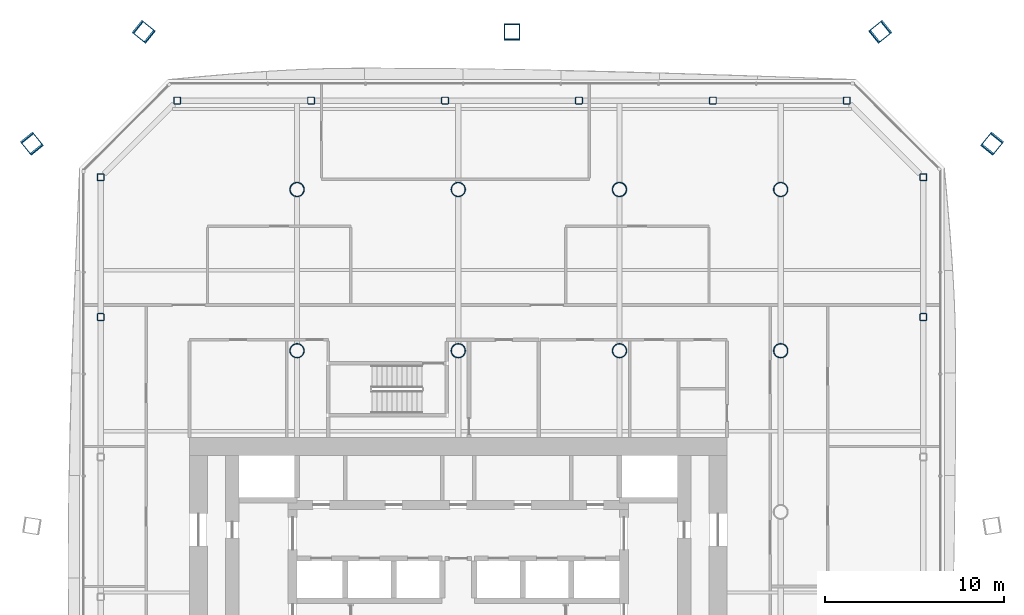
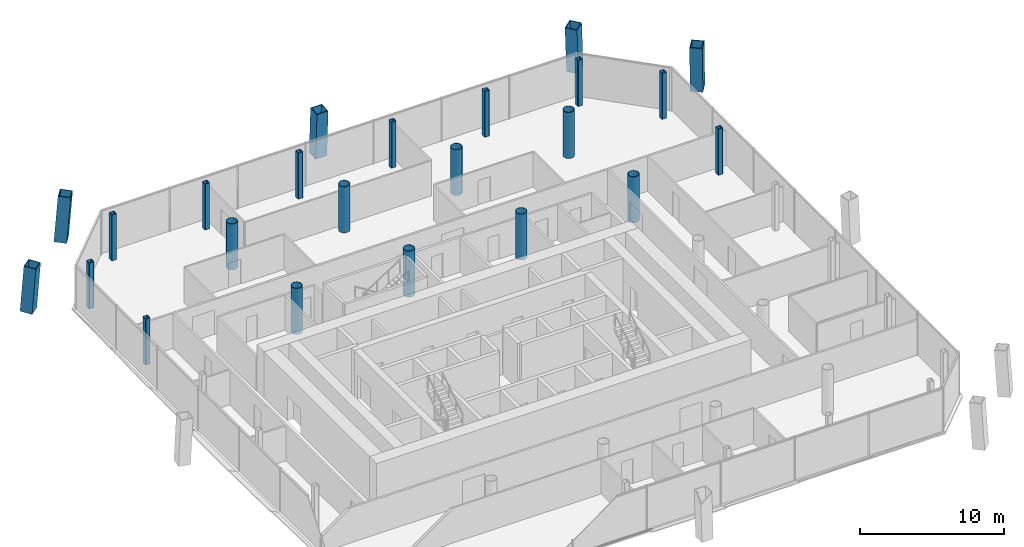
# One storey, part 2 of 19: 23 columns.
"""IFC4 building model written with IfcOpenShell, lengths in metres."""

from ifc_helpers import new_model, si_unit, direction, frame, origin, origin_2d, place, context, subcontext, project, spatial, hollow_rectangle, hollow_circle, extrude, material, material_profile, profile_set, type_object, element, save


model = new_model("IFC4")

# Units and contexts
model_context = context("Model", 3, precision=1e-05, world=origin(), true_north=direction((0.0, 1.0)))
body_context = subcontext(model_context, "Body", "Model", "MODEL_VIEW")
ifc_project = project(units=[si_unit("LENGTHUNIT", "METRE"), si_unit("AREAUNIT", "SQUARE_METRE"), si_unit("VOLUMEUNIT", "CUBIC_METRE"), si_unit("PLANEANGLEUNIT", "RADIAN"), si_unit("MASSUNIT", "GRAM", prefix="KILO")], contexts=[model_context])

# Site, building, storey
site_placement = place(None, origin())
site = spatial("IfcSite", under=ifc_project, at=site_placement, CompositionType="ELEMENT")
building_placement = place(site_placement, origin())
building = spatial("IfcBuilding", under=site, at=building_placement, Name="Tskaro Facet Tower", CompositionType="ELEMENT")
storey_placement = place(building_placement, frame((0.0, 0.0, 101.10009765625)))
storey = spatial("IfcBuildingStorey", under=building, at=storey_placement, Name="L24", CompositionType="ELEMENT", Elevation=101.10009765625)

# Columns
ifc_material_1 = material(Name="Steel S460M", Category="steel")
ifc_material_profile_1 = material_profile(ifc_material_1, hollow_rectangle(XDim=0.89990234375, YDim=0.89990234375, WallThickness=0.054931640625, at=origin_2d()), Name="BOX 900x900x55")
ifc_profile_set_1 = profile_set([ifc_material_profile_1], Name="Steel S460M")
column_type_1 = type_object("IfcColumnType", Name="BOX 900x900x55 mega column", PredefinedType="COLUMN", material=ifc_profile_set_1)
for number, where, z_axis, x_axis, name in (
    (1, (29.83203125, 20.593994140625, 0.0), (-0.046572030062, -0.057809249111, 0.997240761668), (0.778731084135, -0.627357871236, 0.0), "BOX 900x900x55 MC06/2"),
    (2, (23.593994140625, 26.83203125, 0.0), (-0.057809249111, -0.046572030062, 0.997240761668), (0.627357871236, -0.778731084135, 0.0), "BOX 900x900x55 MC07/2"),
):
    element("IfcColumn", number, at=place(storey_placement, frame(where, z_axis=z_axis, x_axis=x_axis)), inside=storey, type_object=column_type_1, Name=name, PredefinedType="COLUMN", context=body_context, shape_type="SweptSolid", body=[
        extrude(hollow_rectangle(XDim=0.89990234375, YDim=0.89990234375, WallThickness=0.054931640625, at=origin_2d()), origin(), (0.0, 0.0, 1.0), 3.91064453125),
    ])
column_placement = place(storey_placement, frame((3.0, 26.83203125, 0.0), z_axis=(0.0, -0.046650045406, 0.998911293991), x_axis=(1.0, 0.0, 0.0)))
element("IfcColumn", 3, at=column_placement, inside=storey, type_object=column_type_1, Name="BOX 900x900x55 MC08/2", PredefinedType="COLUMN", context=body_context, shape_type="SweptSolid", body=[
    extrude(hollow_rectangle(XDim=0.89990234375, YDim=0.89990234375, WallThickness=0.054931640625, at=origin_2d()), origin(), (0.0, 0.0, 1.0), 3.904052734375),
])
for number, where, z_axis, x_axis, name in (
    (4, (-17.593994140625, 26.83203125, 0.0), (0.057809249111, -0.046572030062, 0.997240761668), (0.627357871236, 0.778731084135, 0.0), "BOX 900x900x55 MC09/2"),
    (5, (-23.83203125, 20.593994140625, 0.0), (0.046572030062, -0.057809249111, 0.997240761668), (0.778731084135, 0.627357871236, 0.0), "BOX 900x900x55 MC10/2"),
):
    element("IfcColumn", number, at=place(storey_placement, frame(where, z_axis=z_axis, x_axis=x_axis)), inside=storey, type_object=column_type_1, Name=name, PredefinedType="COLUMN", context=body_context, shape_type="SweptSolid", body=[
        extrude(hollow_rectangle(XDim=0.89990234375, YDim=0.89990234375, WallThickness=0.054931640625, at=origin_2d()), origin(), (0.0, 0.0, 1.0), 3.91064453125),
    ])
ifc_material_2 = material(Name="Steel S355J2H", Category="steel")
ifc_material_profile_2 = material_profile(ifc_material_2, hollow_circle(Radius=0.406494140625, WallThickness=0.035888671875, at=origin_2d()), Name="CHS 812.8x36")
ifc_profile_set_2 = profile_set([ifc_material_profile_2], Name="Steel S355J2H")
column_type_2 = type_object("IfcColumnType", Name="CHS 812.8x36 interior column", PredefinedType="COLUMN", material=ifc_profile_set_2)
for number, where, z_axis, x_axis, name in (
    (6, (-9.0, 9.0, 0.0), (0.0, 0.0, 1.0), (1.0, 0.0, 0.0), "CHS 812.8x36 C3E/2"),
    (7, (-9.0, 18.0, 0.0), (0.0, 0.0, 1.0), (1.0, 0.0, 0.0), "CHS 812.8x36 C3F/2"),
    (8, (0.0, 9.0, 0.0), (0.0, 0.0, 1.0), (1.0, 0.0, 0.0), "CHS 812.8x36 C4E/2"),
    (9, (0.0, 18.0, 0.0), (0.0, 0.0, 1.0), (1.0, 0.0, 0.0), "CHS 812.8x36 C4F/2"),
    (10, (9.0, 9.0, 0.0), (0.0, 0.0, 1.0), (1.0, 0.0, 0.0), "CHS 812.8x36 C5E/2"),
    (11, (9.0, 18.0, 0.0), (0.0, 0.0, 1.0), (1.0, 0.0, 0.0), "CHS 812.8x36 C5F/2"),
    (12, (18.0, 9.0, 0.0), (0.0, 0.0, 1.0), (1.0, 0.0, 0.0), "CHS 812.8x36 C6E/2"),
    (13, (18.0, 18.0, 0.0), (0.0, 0.0, 1.0), (1.0, 0.0, 0.0), "CHS 812.8x36 C6F/2"),
):
    element("IfcColumn", number, at=place(storey_placement, frame(where, z_axis=z_axis, x_axis=x_axis)), inside=storey, type_object=column_type_2, Name=name, PredefinedType="COLUMN", context=body_context, shape_type="SweptSolid", body=[
        extrude(hollow_circle(Radius=0.406494140625, WallThickness=0.035888671875, at=origin_2d()), origin(), (0.0, 0.0, 1.0), 3.89990234375),
    ])
ifc_material_profile_3 = material_profile(ifc_material_2, hollow_rectangle(XDim=0.39990234375, YDim=0.39990234375, WallThickness=0.02490234375, InnerFilletRadius=0.03759765625, OuterFilletRadius=0.0625, at=origin_2d()), Name="SHS 400x400x25")
ifc_profile_set_3 = profile_set([ifc_material_profile_3], Name="Steel S355J2H")
column_type_3 = type_object("IfcColumnType", Name="SHS 400x400x25 ring column", PredefinedType="COLUMN", material=ifc_profile_set_3)
for number, where, z_axis, x_axis, name in (
    (14, (25.965087890625, 10.87890625, 0.0), (0.0, 0.0, 1.0), (1.0, 0.0, 0.0), "SHS 400x400x25 RE-5/2"),
    (15, (25.965087890625, 18.68994140625, 0.0), (0.0, 0.0, 1.0), (1.0, 0.0, 0.0), "SHS 400x400x25 RNE-1/2"),
    (16, (21.68994140625, 22.965087890625, 0.0), (0.0, 0.0, 1.0), (1.0, 0.0, 0.0), "SHS 400x400x25 RN-1/2"),
    (17, (14.214111328125, 22.965087890625, 0.0), (0.0, 0.0, 1.0), (1.0, 0.0, 0.0), "SHS 400x400x25 RN-2/2"),
    (18, (6.738037109375, 22.965087890625, 0.0), (0.0, 0.0, 1.0), (1.0, 0.0, 0.0), "SHS 400x400x25 RN-3/2"),
    (19, (-0.738037109375, 22.965087890625, 0.0), (0.0, 0.0, 1.0), (1.0, 0.0, 0.0), "SHS 400x400x25 RN-4/2"),
    (20, (-8.214111328125, 22.965087890625, 0.0), (0.0, 0.0, 1.0), (1.0, 0.0, 0.0), "SHS 400x400x25 RN-5/2"),
    (21, (-15.68994140625, 22.965087890625, 0.0), (0.0, 0.0, 1.0), (1.0, 0.0, 0.0), "SHS 400x400x25 RNW-1/2"),
    (22, (-19.965087890625, 18.68994140625, 0.0), (0.0, 0.0, 1.0), (1.0, 0.0, 0.0), "SHS 400x400x25 RW-1/2"),
    (23, (-19.965087890625, 10.87890625, 0.0), (0.0, 0.0, 1.0), (1.0, 0.0, 0.0), "SHS 400x400x25 RW-2/2"),
):
    element("IfcColumn", number, at=place(storey_placement, frame(where, z_axis=z_axis, x_axis=x_axis)), inside=storey, type_object=column_type_3, Name=name, PredefinedType="COLUMN", context=body_context, shape_type="SweptSolid", body=[
        extrude(hollow_rectangle(XDim=0.39990234375, YDim=0.39990234375, WallThickness=0.02490234375, InnerFilletRadius=0.03759765625, OuterFilletRadius=0.0625, at=origin_2d()), origin(), (0.0, 0.0, 1.0), 3.89990234375),
    ])

save(model, "model.ifc")
